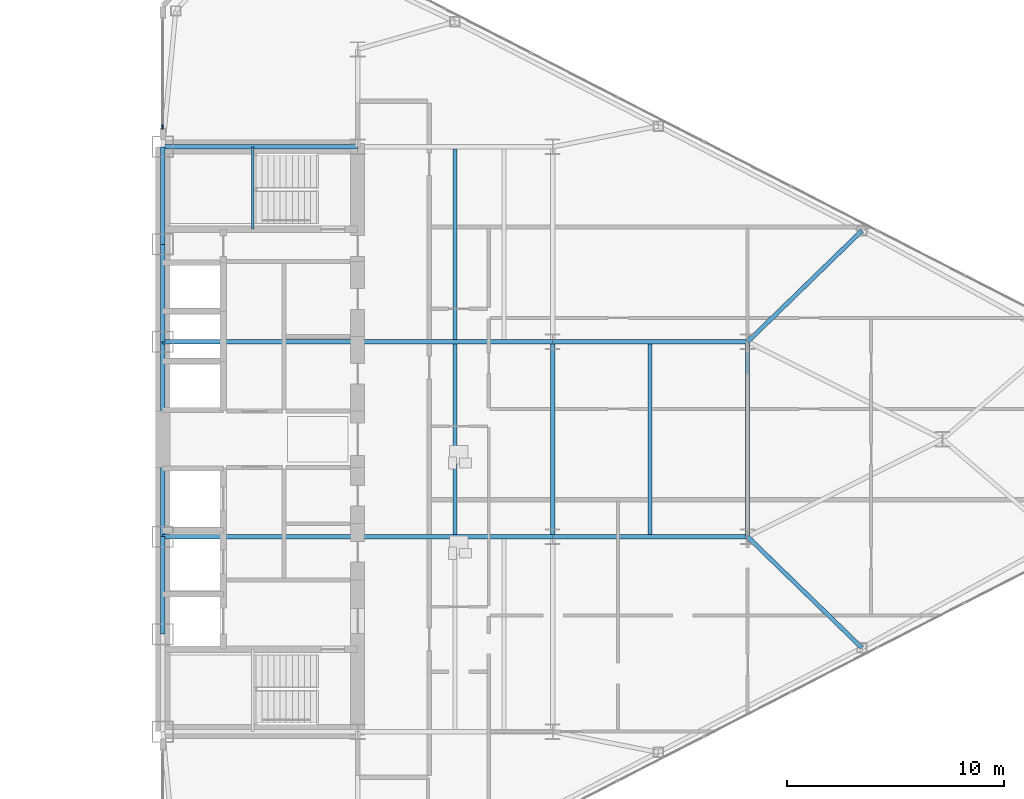
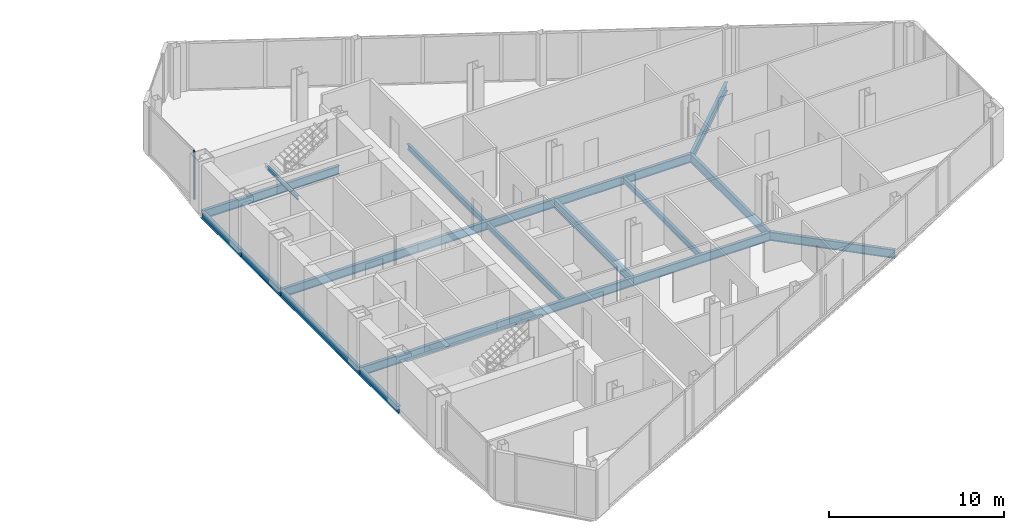
# One storey, part 10 of 24: 19 beams, 1 member, 1 element without a shape of its own.
"""IFC4 building model written with IfcOpenShell, lengths in metres."""

from ifc_helpers import new_model, si_unit, direction, frame, origin, origin_2d, place, context, subcontext, project, spatial, rectangle, i_section, extrude, source, transform, mapped, material, layer, layer_set, material_profile, profile_set, type_object, type_shapes, element, aggregate, save


model = new_model("IFC4")

# Units and contexts
model_context = context("Model", 3, precision=1e-05, world=origin(), true_north=direction((0.0, 1.0)))
body_context = subcontext(model_context, "Body", "Model", "MODEL_VIEW")
ifc_project = project(units=[si_unit("LENGTHUNIT", "METRE"), si_unit("AREAUNIT", "SQUARE_METRE"), si_unit("VOLUMEUNIT", "CUBIC_METRE"), si_unit("PLANEANGLEUNIT", "RADIAN"), si_unit("MASSUNIT", "GRAM", prefix="KILO")], contexts=[model_context])

# Site, building, storey
site_placement = place(None, origin())
site = spatial("IfcSite", under=ifc_project, at=site_placement, CompositionType="ELEMENT")
building_placement = place(site_placement, origin())
building = spatial("IfcBuilding", under=site, at=building_placement, Name="Seokmaru Belvedere", CompositionType="ELEMENT")
storey_placement = place(building_placement, frame((0.0, 0.0, 117.60009765625)))
storey = spatial("IfcBuildingStorey", under=building, at=storey_placement, Name="L31", CompositionType="ELEMENT", Elevation=117.60009765625)

# Beams
ifc_material_1 = material(Name="Steel SM355 (355 MPa)", Category="steel")
ifc_material_profile_1 = material_profile(ifc_material_1, i_section(OverallWidth=0.199951171875, OverallDepth=0.5, WebThickness=0.010009765625, FlangeThickness=0.01611328125, at=origin_2d()), Name="H-500x200x10x16")
ifc_profile_set_1 = profile_set([ifc_material_profile_1], Name="Steel SM355 (355 MPa)")
beam_type_1 = type_object("IfcBeamType", Name="Perimeter Spandrel Beam H-500", PredefinedType="SPANDREL", material=ifc_profile_set_1)
shared_shape_1 = source(origin(), body_context, "Body", "SweptSolid", [
    extrude(i_section(OverallWidth=0.199951171875, OverallDepth=0.5, WebThickness=0.010009765625, FlangeThickness=0.01611328125, at=origin_2d()), origin(), (0.0, 0.0, 1.0), 4.5),
])
for number, where, z_axis, x_axis, name in (
    (1, (27.5, -9.0, -0.47021484375), (0.0, 1.0, 0.0), (-1.0, 0.0, 0.0), "L31 E Portal Spine Spandrel 2"),
    (2, (27.5, 4.5, -0.47021484375), (0.0, 1.0, 0.0), (-1.0, 0.0, 0.0), "L31 E Portal Spine Spandrel 4"),
    (3, (27.5, 9.0, -0.47021484375), (0.0, 1.0, 0.0), (-1.0, 0.0, 0.0), "L31 E Portal Spine Spandrel 5"),
):
    element("IfcBeam", number, at=place(storey_placement, frame(where, z_axis=z_axis, x_axis=x_axis)), inside=storey, type_object=beam_type_1, Name=name, PredefinedType="SPANDREL", context=body_context, shape_type="MappedRepresentation", body=[
        mapped(shared_shape_1, transform((0.0, 0.0, 0.0), scale=1.0)),
    ])
shared_shape_2 = source(origin(), body_context, "Body", "SweptSolid", [
    extrude(i_section(OverallWidth=0.199951171875, OverallDepth=0.5, WebThickness=0.010009765625, FlangeThickness=0.01611328125, at=origin_2d()), origin(), (0.0, 0.0, 1.0), 9.0),
])
type_shapes(beam_type_1, [shared_shape_1, shared_shape_2])
beam_1_placement = place(storey_placement, frame((27.5, -4.5, -0.47021484375), z_axis=(0.0, 1.0, 0.0), x_axis=(-1.0, 0.0, 0.0)))
element("IfcBeam", 4, at=beam_1_placement, inside=storey, type_object=beam_type_1, Name="L31 E Portal Spine Spandrel 3", PredefinedType="SPANDREL", context=body_context, shape_type="MappedRepresentation", body=[
    mapped(shared_shape_2, transform((0.0, 0.0, 0.0), scale=1.0)),
])
ifc_material_profile_2 = material_profile(ifc_material_1, i_section(OverallWidth=0.199951171875, OverallDepth=0.60009765625, WebThickness=0.010986328125, FlangeThickness=0.01708984375, at=origin_2d()), Name="H-600x200x11x17")
ifc_profile_set_2 = profile_set([ifc_material_profile_2], Name="Steel SM355 (355 MPa)")
beam_type_2 = type_object("IfcBeamType", Name="Primary Floor Girder H-600", PredefinedType="BEAM", material=ifc_profile_set_2)
shared_shape_3 = source(origin(), body_context, "Body", "SweptSolid", [
    extrude(i_section(OverallWidth=0.199951171875, OverallDepth=0.60009765625, WebThickness=0.010986328125, FlangeThickness=0.01708984375, at=origin_2d()), origin(), (0.0, 0.0, 1.0), 9.0),
])
for number, where, z_axis, x_axis, name in (
    (5, (45.5, -4.5, -0.52001953125), (0.0, 1.0, 0.0), (-1.0, 0.0, 0.0), "L31 E Interior Grid Girder 2"),
    (6, (27.5, -4.5, -0.52001953125), (1.0, 0.0, 0.0), (0.0, 1.0, 0.0), "L31 E Core Tie Girder 2"),
    (7, (36.5, -4.5, -0.52001953125), (1.0, 0.0, 0.0), (0.0, 1.0, 0.0), "L31 E Wing Primary Girder 2"),
    (8, (27.5, 4.5, -0.52001953125), (1.0, 0.0, 0.0), (0.0, 1.0, 0.0), "L31 E Core Tie Girder 3"),
    (9, (36.5, 4.5, -0.52001953125), (1.0, 0.0, 0.0), (0.0, 1.0, 0.0), "L31 E Wing Primary Girder 3"),
    (10, (27.5, 13.5, -0.52001953125), (1.0, 0.0, 0.0), (0.0, 1.0, 0.0), "L31 E Core Tie Girder 4"),
    (11, (45.5, -4.5, -0.52001953125), (1.0, 0.0, 0.0), (0.0, 1.0, 0.0), "L31 E Outer Wing Girder 1"),
    (12, (45.5, 4.5, -0.52001953125), (1.0, 0.0, 0.0), (0.0, 1.0, 0.0), "L31 E Outer Wing Girder 2"),
    (13, (54.5, -4.5, -0.52001953125), (0.0, 1.0, 0.0), (-1.0, 0.0, 0.0), "L31 E Apex Frame Girder"),
):
    element("IfcBeam", number, at=place(storey_placement, frame(where, z_axis=z_axis, x_axis=x_axis)), inside=storey, type_object=beam_type_2, Name=name, PredefinedType="BEAM", context=body_context, shape_type="MappedRepresentation", body=[
        mapped(shared_shape_3, transform((0.0, 0.0, 0.0), scale=1.0)),
    ])
ifc_material_profile_3 = material_profile(ifc_material_1, i_section(OverallWidth=0.18505859375, OverallDepth=0.389892578125, WebThickness=0.008056640625, FlangeThickness=0.011962890625, at=origin_2d()), Name="H-390x185x8x12")
ifc_profile_set_3 = profile_set([ifc_material_profile_3], Name="Steel SM355 (355 MPa)")
beam_type_3 = type_object("IfcBeamType", Name="Secondary Floor Joist H-350", PredefinedType="JOIST", material=ifc_profile_set_3)
shared_shape_4 = source(origin(), body_context, "Body", "SweptSolid", [
    extrude(i_section(OverallWidth=0.18505859375, OverallDepth=0.389892578125, WebThickness=0.008056640625, FlangeThickness=0.011962890625, at=origin_2d()), origin(), (0.0, 0.0, 1.0), 8.7900390625),
])
type_shapes(beam_type_3, [shared_shape_4])
for number, where, z_axis, x_axis, name in (
    (14, (41.0, -4.39501953125, -0.4150390625), (0.0, 1.0, 0.0), (-1.0, 0.0, 0.0), "L31 E Secondary Floor Joist 2"),
    (15, (41.0, 4.60498046875, -0.4150390625), (0.0, 1.0, 0.0), (-1.0, 0.0, 0.0), "L31 E Secondary Floor Joist 3"),
    (16, (50.0, -4.39501953125, -0.4150390625), (0.0, 1.0, 0.0), (-1.0, 0.0, 0.0), "L31 E Outer Bay Secondary Joist"),
):
    element("IfcBeam", number, at=place(storey_placement, frame(where, z_axis=z_axis, x_axis=x_axis)), inside=storey, type_object=beam_type_3, Name=name, PredefinedType="JOIST", context=body_context, shape_type="MappedRepresentation", body=[
        mapped(shared_shape_4, transform((0.0, 0.0, 0.0), scale=1.0)),
    ])
shared_shape_5 = source(origin(), body_context, "Body", "SweptSolid", [
    extrude(i_section(OverallWidth=0.199951171875, OverallDepth=0.60009765625, WebThickness=0.010986328125, FlangeThickness=0.01708984375, at=origin_2d()), origin(), (0.0, 0.0, 1.0), 7.35986328125),
])
type_shapes(beam_type_2, [shared_shape_3, shared_shape_5])
for number, where, z_axis, x_axis, name in (
    (17, (59.778564453125, -9.62890625, -0.52001953125), (-0.717200745515, 0.696866623273, 0.0), (-0.696866623273, -0.717200745515, 0.0), "L31 E Flank Radial Floor Girder S-3"),
    (18, (59.778564453125, 9.62890625, -0.52001953125), (-0.717200745515, -0.696866623273, 0.0), (0.696866623273, -0.717200745515, 0.0), "L31 E Flank Radial Floor Girder N-3"),
):
    element("IfcBeam", number, at=place(storey_placement, frame(where, z_axis=z_axis, x_axis=x_axis)), inside=storey, type_object=beam_type_2, Name=name, PredefinedType="BEAM", context=body_context, shape_type="MappedRepresentation", body=[
        mapped(shared_shape_5, transform((0.0, 0.0, 0.0), scale=1.0)),
    ])

# Curtain wall, member
ifc_material_2 = material(Name="Bronze Triple Insulating Glass", Category="glass")
ifc_layer = layer(ifc_material_2, 0.195068359375)
ifc_layer_set = layer_set([ifc_layer], Name="Bronze Triple Insulating Glass")
curtain_wall_type = type_object("IfcCurtainWallType", Name="Sky-Lobby and Mid-Rise Curtain Wall System CW-4", PredefinedType="NOTDEFINED", material=ifc_layer_set)
curtain_wall_placement = place(storey_placement, origin())
curtain_wall = element("IfcCurtainWall", 19, at=curtain_wall_placement, inside=storey, type_object=curtain_wall_type, Name="L31 Curtain Wall ESP_2", PredefinedType="NOTDEFINED")
ifc_material_3 = material(Name="Anodised Bronze Aluminium", Category="aluminium")
ifc_material_profile_4 = material_profile(ifc_material_3, rectangle(XDim=0.070068359375, YDim=0.195068359375, at=origin_2d()), Name="CW-M-70x195")
ifc_profile_set_4 = profile_set([ifc_material_profile_4], Name="Anodised Bronze Aluminium")
member_type = type_object("IfcMemberType", Name="Bronze Unitised Mullion 70x195", PredefinedType="MULLION", material=ifc_profile_set_4)
shared_shape_6 = source(origin(), body_context, "Body", "SweptSolid", [
    extrude(rectangle(XDim=0.070068359375, YDim=0.195068359375, at=origin_2d()), origin(), (0.0, 0.0, 1.0), 3.3798828125),
])
type_shapes(member_type, [shared_shape_6])
member_placement = place(storey_placement, frame((27.5, 14.4150390625, 0.0), z_axis=(0.0, 0.0, 1.0), x_axis=(1.0, 0.0, 0.0)))
member = element("IfcMember", 20, at=member_placement, type_object=member_type, Name="CW:L31:ESP_2 Mullion 2", PredefinedType="MULLION", context=body_context, shape_type="MappedRepresentation", body=[
    mapped(shared_shape_6, transform((0.0, 0.0, 0.0), scale=1.0)),
])
aggregate(curtain_wall, [member])

# Beam
ifc_material_profile_5 = material_profile(ifc_material_1, i_section(OverallWidth=0.125, OverallDepth=0.25, WebThickness=0.006103515625, FlangeThickness=0.009033203125, at=origin_2d()), Name="H-250x125x6x9")
ifc_profile_set_5 = profile_set([ifc_material_profile_5], Name="Steel SM355 (355 MPa)")
beam_type_4 = type_object("IfcBeamType", Name="Stair Mid-Landing Support Beam H-250", PredefinedType="JOIST", material=ifc_profile_set_5)
shared_shape_7 = source(origin(), body_context, "Body", "SweptSolid", [
    extrude(i_section(OverallWidth=0.125, OverallDepth=0.25, WebThickness=0.006103515625, FlangeThickness=0.009033203125, at=origin_2d()), origin(), (0.0, 0.0, 1.0), 3.800048828125),
])
type_shapes(beam_type_4, [shared_shape_7])
beam_2_placement = place(storey_placement, frame((31.64990234375, 9.699951171875, 1.474853515625), z_axis=(0.0, 1.0, 0.0), x_axis=(-1.0, 0.0, 0.0)))
element("IfcBeam", 21, at=beam_2_placement, inside=storey, type_object=beam_type_4, Name="L31 Stair ST-E2 Mid-Landing Support Beam 1", PredefinedType="JOIST", context=body_context, shape_type="MappedRepresentation", body=[
    mapped(shared_shape_7, transform((0.0, 0.0, 0.0), scale=1.0)),
])

save(model, "model.ifc")
